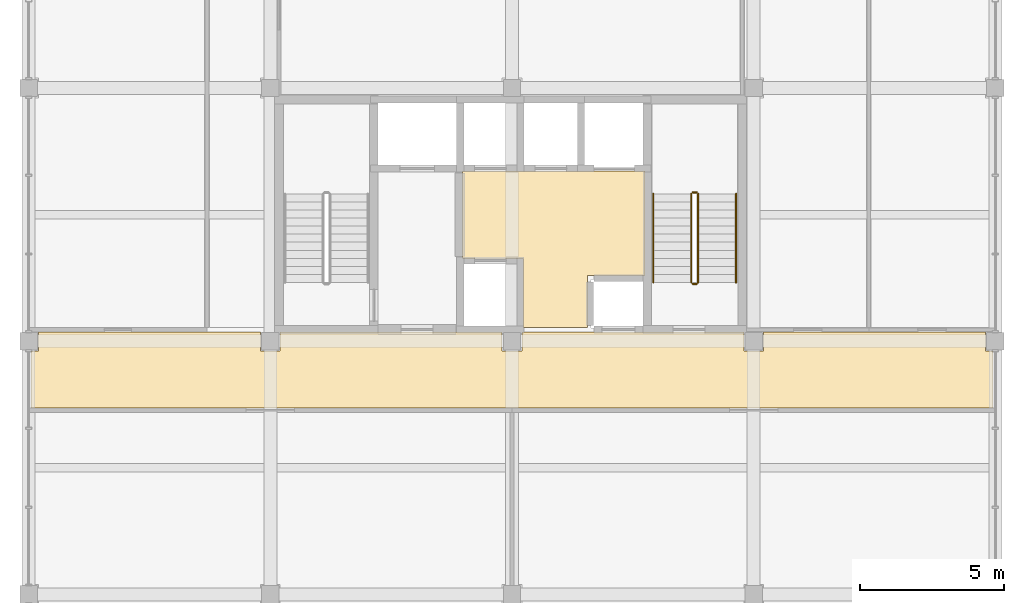
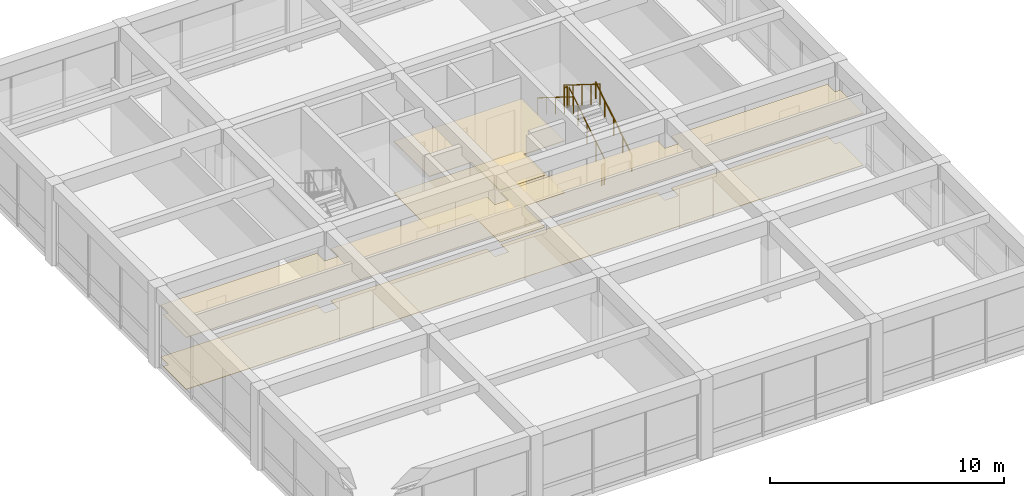
# One storey, part 13 of 14: 6 railings, 4 coverings.
"""IFC4 building model written with IfcOpenShell, lengths in metres."""

from ifc_helpers import new_model, si_unit, direction, frame, origin, origin_2d, place, context, subcontext, project, spatial, polyline, circle, outline, extrude, material, layer, layer_set, type_object, element, save


model = new_model("IFC4")

# Units and contexts
model_context = context("Model", 3, precision=1e-05, world=origin(), true_north=direction((0.0, 1.0)))
body_context = subcontext(model_context, "Body", "Model", "MODEL_VIEW")
ifc_project = project(units=[si_unit("LENGTHUNIT", "METRE"), si_unit("AREAUNIT", "SQUARE_METRE"), si_unit("VOLUMEUNIT", "CUBIC_METRE"), si_unit("PLANEANGLEUNIT", "RADIAN"), si_unit("MASSUNIT", "GRAM", prefix="KILO")], contexts=[model_context])

# Site, building, storey
site_placement = place(None, origin())
site = spatial("IfcSite", under=ifc_project, at=site_placement, CompositionType="ELEMENT")
building_placement = place(site_placement, origin())
building = spatial("IfcBuilding", under=site, at=building_placement, Name="Kemercrest Conservatory and Botanical Centre", CompositionType="ELEMENT")
storey_placement = place(building_placement, frame((0.0, 0.0, 63.800048828125)))
storey = spatial("IfcBuildingStorey", under=building, at=storey_placement, Name="L16", CompositionType="ELEMENT", Elevation=63.800048828125)

# Coverings
ifc_material_1 = material(Name="Perforated acoustic gypsum and mineral-fibre suspended ceiling", Category="gypsum")
ifc_layer_1 = layer(ifc_material_1, 0.034912109375)
ifc_layer_set_1 = layer_set([ifc_layer_1], Name="Perforated acoustic gypsum and mineral-fibre suspended ceiling")
covering_type_1 = type_object("IfcCoveringType", Name="CV-CLG035", PredefinedType="CEILING", material=ifc_layer_set_1)
covering_1_placement = place(storey_placement, frame((0.0, 0.0, 2.699951171875)))
element("IfcCovering", 1, at=covering_1_placement, inside=storey, type_object=covering_type_1, Name="Tower Lift Lobby suspended acoustic ceiling", PredefinedType="CEILING", context=body_context, shape_type="SweptSolid", body=[
    extrude(outline(polyline([(159.580078125, 107.679931640625), (159.580078125, 105.280029296875), (161.820068359375, 105.280029296875), (161.820068359375, 107.080078125), (163.820068359375, 107.080078125), (163.820068359375, 110.719970703125), (157.47998046875, 110.719970703125), (157.47998046875, 107.679931640625), (159.580078125, 107.679931640625)])), origin(), (0.0, 0.0, 1.0), 0.034912109375),
])
covering_2_placement = place(storey_placement, frame((0.0, 0.0, 2.699951171875)))
element("IfcCovering", 2, at=covering_2_placement, inside=storey, type_object=covering_type_1, Name="Observatory Foyer Corridor suspended acoustic ceiling", PredefinedType="CEILING", context=body_context, shape_type="SweptSolid", body=[
    extrude(outline(polyline([(142.47998046875, 102.47998046875), (175.919921875, 102.47998046875), (175.919921875, 104.4599609375), (175.659912109375, 104.4599609375), (175.659912109375, 105.1201171875), (167.93994140625, 105.1201171875), (167.93994140625, 104.4599609375), (167.260009765625, 104.4599609375), (167.260009765625, 105.1201171875), (159.5400390625, 105.1201171875), (159.5400390625, 104.4599609375), (158.860107421875, 104.4599609375), (158.860107421875, 105.1201171875), (151.139892578125, 105.1201171875), (151.139892578125, 104.4599609375), (150.4599609375, 104.4599609375), (150.4599609375, 105.1201171875), (142.739990234375, 105.1201171875), (142.739990234375, 104.4599609375), (142.47998046875, 104.4599609375), (142.47998046875, 102.47998046875)])), origin(), (0.0, 0.0, 1.0), 0.034912109375),
])
ifc_material_2 = material(Name="Polished limestone terrazzo and seamless laboratory epoxy flooring", Category="masonry")
ifc_layer_2 = layer(ifc_material_2, 0.02001953125)
ifc_layer_set_2 = layer_set([ifc_layer_2], Name="Polished limestone terrazzo and seamless laboratory epoxy flooring")
covering_type_2 = type_object("IfcCoveringType", Name="CV-FLR020", PredefinedType="FLOORING", material=ifc_layer_set_2)
covering_3_placement = place(storey_placement, origin())
element("IfcCovering", 3, at=covering_3_placement, inside=storey, type_object=covering_type_2, Name="Tower Lift Lobby floor finish", PredefinedType="FLOORING", context=body_context, shape_type="SweptSolid", body=[
    extrude(outline(polyline([(159.580078125, 107.679931640625), (159.580078125, 105.280029296875), (161.820068359375, 105.280029296875), (161.820068359375, 107.080078125), (163.820068359375, 107.080078125), (163.820068359375, 110.719970703125), (157.47998046875, 110.719970703125), (157.47998046875, 107.679931640625), (159.580078125, 107.679931640625)])), origin(), (0.0, 0.0, 1.0), 0.02001953125),
])
covering_4_placement = place(storey_placement, origin())
element("IfcCovering", 4, at=covering_4_placement, inside=storey, type_object=covering_type_2, Name="Observatory Foyer Corridor floor finish", PredefinedType="FLOORING", context=body_context, shape_type="SweptSolid", body=[
    extrude(outline(polyline([(142.47998046875, 102.47998046875), (175.919921875, 102.47998046875), (175.919921875, 104.4599609375), (175.659912109375, 104.4599609375), (175.659912109375, 105.1201171875), (167.93994140625, 105.1201171875), (167.93994140625, 104.4599609375), (167.260009765625, 104.4599609375), (167.260009765625, 105.1201171875), (159.5400390625, 105.1201171875), (159.5400390625, 104.4599609375), (158.860107421875, 104.4599609375), (158.860107421875, 105.1201171875), (151.139892578125, 105.1201171875), (151.139892578125, 104.4599609375), (150.4599609375, 104.4599609375), (150.4599609375, 105.1201171875), (142.739990234375, 105.1201171875), (142.739990234375, 104.4599609375), (142.47998046875, 104.4599609375), (142.47998046875, 102.47998046875)])), origin(), (0.0, 0.0, 1.0), 0.02001953125),
])

# Railings
ifc_material_3 = material(Name="Painted galvanized steel tubular stair guardrail", Category="steel")
railing_type_1 = type_object("IfcRailingType", Name="GR-STR110", PredefinedType="GUARDRAIL", material=ifc_material_3)
railing_1_placement = place(storey_placement, frame((165.669921875, 106.840087890625, 0.175048828125)))
element("IfcRailing", 5, at=railing_1_placement, inside=storey, type_object=railing_type_1, Name="L16 ST-V4B stair guard 1", PredefinedType="GUARDRAIL", context=body_context, shape_type="SweptSolid", body=[
    extrude(circle(Radius=0.02392578125, at=origin_2d()), frame((0.0, 0.0, 1.076171875), z_axis=(0.0, 0.848009633417, 0.529980812513), x_axis=(-1.0, 0.0, 0.0)), (0.0, 0.0, 1.0), 3.6318359375),
    extrude(circle(Radius=0.02099609375, at=origin_2d()), origin(), (0.0, 0.0, 1.0), 1.052001953125),
    extrude(circle(Radius=0.02099609375, at=origin_2d()), frame((0.0, 0.77001953125, 0.481201171875)), (0.0, 0.0, 1.0), 1.052001953125),
    extrude(circle(Radius=0.02099609375, at=origin_2d()), frame((0.0, 1.5400390625, 0.96240234375)), (0.0, 0.0, 1.0), 1.052001953125),
    extrude(circle(Radius=0.02099609375, at=origin_2d()), frame((0.0, 2.309814453125, 1.443603515625)), (0.0, 0.0, 1.0), 1.052001953125),
    extrude(circle(Radius=0.02099609375, at=origin_2d()), frame((0.0, 3.079833984375, 1.9248046875)), (0.0, 0.0, 1.0), 1.052001953125),
])
railing_2_placement = place(storey_placement, frame((165.6201171875, 109.969970703125, 2.099853515625)))
element("IfcRailing", 6, at=railing_2_placement, inside=storey, type_object=railing_type_1, Name="L16 ST-V4B stair guard 2", PredefinedType="GUARDRAIL", context=body_context, shape_type="SweptSolid", body=[
    extrude(circle(Radius=0.02392578125, at=origin_2d()), frame((0.0, 0.0, 1.076171875), z_axis=(-1.0, 0.0, 0.0), x_axis=(0.0, -1.0, 0.0)), (0.0, 0.0, 1.0), 0.14013671875),
    extrude(circle(Radius=0.02099609375, at=origin_2d()), origin(), (0.0, 0.0, 1.0), 1.052001953125),
    extrude(circle(Radius=0.02099609375, at=origin_2d()), frame((-0.14013671875, 0.0, 0.0)), (0.0, 0.0, 1.0), 1.052001953125),
])
railing_3_placement = place(storey_placement, frame((165.429931640625, 109.919921875, 2.27490234375)))
element("IfcRailing", 7, at=railing_3_placement, inside=storey, type_object=railing_type_1, Name="L16 ST-V4B stair guard 3", PredefinedType="GUARDRAIL", context=body_context, shape_type="SweptSolid", body=[
    extrude(circle(Radius=0.02392578125, at=origin_2d()), frame((0.0, 0.0, 1.076171875), z_axis=(0.0, -0.847979421464, 0.530029150871), x_axis=(1.0, 0.0, 0.0)), (0.0, 0.0, 1.0), 3.632080078125),
    extrude(circle(Radius=0.02099609375, at=origin_2d()), origin(), (0.0, 0.0, 1.0), 1.052001953125),
    extrude(circle(Radius=0.02099609375, at=origin_2d()), frame((0.0, -0.77001953125, 0.481201171875)), (0.0, 0.0, 1.0), 1.052001953125),
    extrude(circle(Radius=0.02099609375, at=origin_2d()), frame((0.0, -1.5400390625, 0.96240234375)), (0.0, 0.0, 1.0), 1.052001953125),
    extrude(circle(Radius=0.02099609375, at=origin_2d()), frame((0.0, -2.309814453125, 1.44384765625)), (0.0, 0.0, 1.0), 1.052001953125),
    extrude(circle(Radius=0.02099609375, at=origin_2d()), frame((0.0, -3.079833984375, 1.925048828125)), (0.0, 0.0, 1.0), 1.052001953125),
])
railing_4_placement = place(storey_placement, frame((165.6201171875, 106.7900390625, 0.0)))
element("IfcRailing", 8, at=railing_4_placement, inside=storey, type_object=railing_type_1, Name="L16 ST-V4B stair guard 4", PredefinedType="GUARDRAIL", context=body_context, shape_type="SweptSolid", body=[
    extrude(circle(Radius=0.02392578125, at=origin_2d()), frame((0.0, 0.0, 1.076171875), z_axis=(-1.0, 0.0, 0.0), x_axis=(0.0, -1.0, 0.0)), (0.0, 0.0, 1.0), 0.14013671875),
    extrude(circle(Radius=0.02099609375, at=origin_2d()), origin(), (0.0, 0.0, 1.0), 1.052001953125),
    extrude(circle(Radius=0.02099609375, at=origin_2d()), frame((-0.14013671875, 0.0, 0.0)), (0.0, 0.0, 1.0), 1.052001953125),
])
ifc_material_4 = material(Name="Brushed stainless steel wall-mounted handrail", Category="steel")
railing_type_2 = type_object("IfcRailingType", Name="HR-STR090", PredefinedType="HANDRAIL", material=ifc_material_4)
railing_5_placement = place(storey_placement, frame((166.989990234375, 106.840087890625, 0.175048828125)))
element("IfcRailing", 9, at=railing_5_placement, inside=storey, type_object=railing_type_2, Name="L16 ST-V4B stair handrail 1", PredefinedType="HANDRAIL", context=body_context, shape_type="SweptSolid", body=[
    extrude(circle(Radius=0.02392578125, at=origin_2d()), frame((0.0, 0.0, 0.8759765625), z_axis=(0.0, 0.848009633417, 0.529980812513), x_axis=(-1.0, 0.0, 0.0)), (0.0, 0.0, 1.0), 3.6318359375),
    extrude(circle(Radius=0.02099609375, at=origin_2d()), origin(), (0.0, 0.0, 1.0), 0.851806640625),
    extrude(circle(Radius=0.02099609375, at=origin_2d()), frame((0.0, 0.77001953125, 0.481201171875)), (0.0, 0.0, 1.0), 0.851806640625),
    extrude(circle(Radius=0.02099609375, at=origin_2d()), frame((0.0, 1.5400390625, 0.96240234375)), (0.0, 0.0, 1.0), 0.851806640625),
    extrude(circle(Radius=0.02099609375, at=origin_2d()), frame((0.0, 2.309814453125, 1.443603515625)), (0.0, 0.0, 1.0), 0.851806640625),
    extrude(circle(Radius=0.02099609375, at=origin_2d()), frame((0.0, 3.079833984375, 1.9248046875)), (0.0, 0.0, 1.0), 0.851806640625),
])
railing_6_placement = place(storey_placement, frame((164.110107421875, 109.919921875, 2.27490234375)))
element("IfcRailing", 10, at=railing_6_placement, inside=storey, type_object=railing_type_2, Name="L16 ST-V4B stair handrail 2", PredefinedType="HANDRAIL", context=body_context, shape_type="SweptSolid", body=[
    extrude(circle(Radius=0.02392578125, at=origin_2d()), frame((0.0, 0.0, 0.8759765625), z_axis=(0.0, -0.847979421464, 0.530029150871), x_axis=(1.0, 0.0, 0.0)), (0.0, 0.0, 1.0), 3.632080078125),
    extrude(circle(Radius=0.02099609375, at=origin_2d()), origin(), (0.0, 0.0, 1.0), 0.851806640625),
    extrude(circle(Radius=0.02099609375, at=origin_2d()), frame((0.0, -0.77001953125, 0.481201171875)), (0.0, 0.0, 1.0), 0.851806640625),
    extrude(circle(Radius=0.02099609375, at=origin_2d()), frame((0.0, -1.5400390625, 0.96240234375)), (0.0, 0.0, 1.0), 0.851806640625),
    extrude(circle(Radius=0.02099609375, at=origin_2d()), frame((0.0, -2.309814453125, 1.44384765625)), (0.0, 0.0, 1.0), 0.851806640625),
    extrude(circle(Radius=0.02099609375, at=origin_2d()), frame((0.0, -3.079833984375, 1.925048828125)), (0.0, 0.0, 1.0), 0.851806640625),
])

save(model, "model.ifc")
